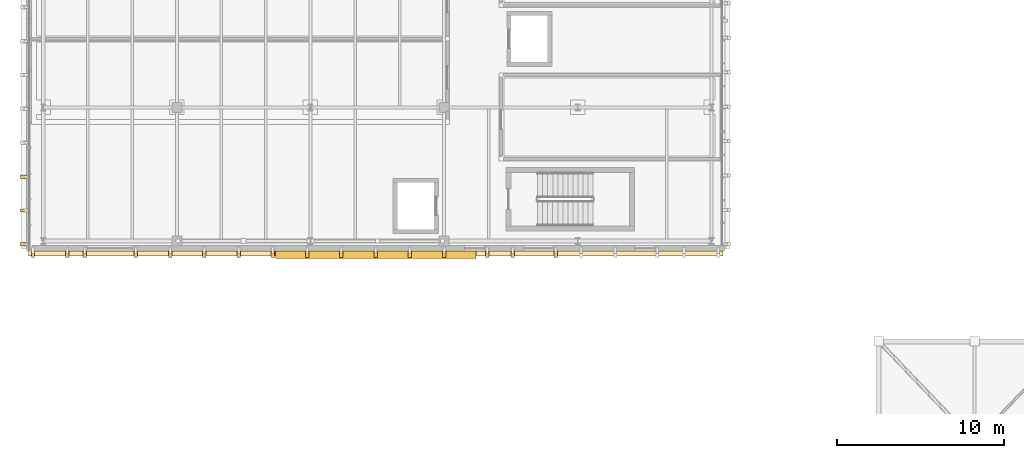
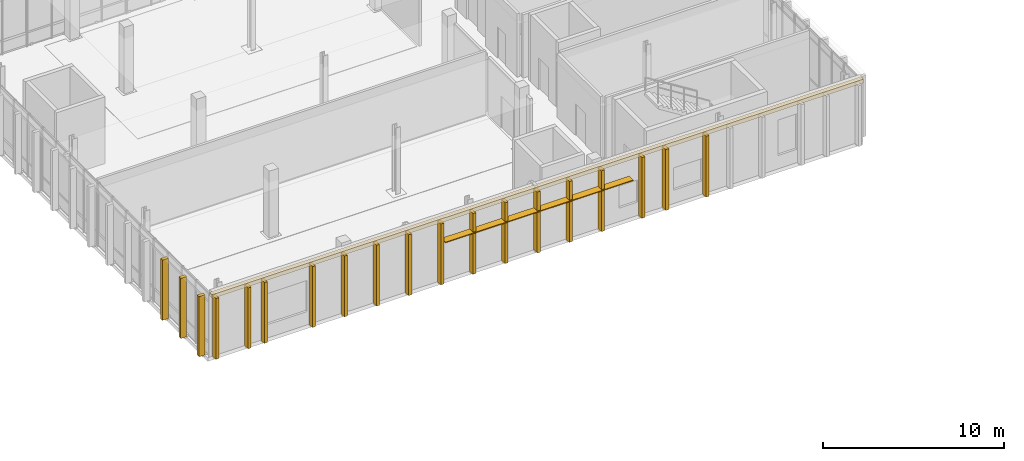
# One storey, part 51 of 62: 20 coverings, 1 shading device.
"""IFC4 building model written with IfcOpenShell, lengths in metres."""

from ifc_helpers import new_model, si_unit, direction, frame, origin, origin_2d, place, context, subcontext, project, spatial, rectangle, extrude, material, layer, layer_set, type_object, element, save


model = new_model("IFC4")

# Units and contexts
model_context = context("Model", 3, precision=1e-05, world=origin(), true_north=direction((0.0, 1.0)))
body_context = subcontext(model_context, "Body", "Model", "MODEL_VIEW")
ifc_project = project(units=[si_unit("LENGTHUNIT", "METRE"), si_unit("AREAUNIT", "SQUARE_METRE"), si_unit("VOLUMEUNIT", "CUBIC_METRE"), si_unit("PLANEANGLEUNIT", "RADIAN"), si_unit("MASSUNIT", "GRAM", prefix="KILO")], contexts=[model_context])

# Site, building, storey
site_placement = place(None, origin())
site = spatial("IfcSite", under=ifc_project, at=site_placement, CompositionType="ELEMENT")
building_placement = place(site_placement, origin())
building = spatial("IfcBuilding", under=site, at=building_placement, Name="Cymarion Research Institute", CompositionType="ELEMENT")
storey_placement = place(building_placement, frame((0.0, 0.0, 18.300048828125)))
storey = spatial("IfcBuildingStorey", under=building, at=storey_placement, Name="L04", CompositionType="ELEMENT", Elevation=18.300048828125)

# Shading device
ifc_material_1 = material(Name="Anodised aluminium solar louvre jalousie", Category="aluminium")
ifc_layer_1 = layer(ifc_material_1, 0.06005859375)
ifc_layer_set_1 = layer_set([ifc_layer_1], Name="Anodised aluminium solar louvre jalousie")
shading_device_type = type_object("IfcShadingDeviceType", Name="ANODISED ALUMINIUM HORIZONTAL LOUVRE JALOUSIE SHD3 450MM", PredefinedType="JALOUSIE", material=ifc_layer_set_1)
shading_device_placement = place(storey_placement, frame((26.5, 46.673095703125, 2.7900390625), z_axis=(0.0, 0.0, 1.0), x_axis=(0.0, -1.0, 0.0)))
element("IfcShadingDevice", 1, at=shading_device_placement, inside=storey, type_object=shading_device_type, Name="L04 V4 south aluminium sunshade SHD3 #9", PredefinedType="JALOUSIE", context=body_context, shape_type="SweptSolid", body=[
    extrude(rectangle(XDim=0.449951171875, YDim=12.0, at=origin_2d()), origin(), (0.0, 0.0, 1.0), 0.06005859375),
])

# Coverings
ifc_material_2 = material(Name="Precast concrete C45/55 architectural white", Category="concrete")
ifc_layer_2 = layer(ifc_material_2, 0.260009765625)
ifc_layer_set_2 = layer_set([ifc_layer_2], Name="Precast concrete C45/55 architectural white")
covering_type_1 = type_object("IfcCoveringType", Name="SCULPTURAL WHITE PRECAST CONCRETE SPANDREL BROW BAND RIB2 280MM", PredefinedType="CLADDING", material=ifc_layer_set_2)
covering_placement = place(storey_placement, frame((26.5, 46.758056640625, 4.1201171875), z_axis=(0.0, 0.0, 1.0), x_axis=(0.0, -1.0, 0.0)))
element("IfcCovering", 2, at=covering_placement, inside=storey, type_object=covering_type_1, Name="L04 V4 precast spandrel brow band RIB2 #819", PredefinedType="CLADDING", context=body_context, shape_type="SweptSolid", body=[
    extrude(rectangle(XDim=0.280029296875, YDim=41.56005859375, at=origin_2d()), origin(), (0.0, 0.0, 1.0), 0.260009765625),
])
ifc_layer_3 = layer(ifc_material_2, 0.199951171875)
ifc_layer_set_3 = layer_set([ifc_layer_3], Name="Precast concrete C45/55 architectural white")
covering_type_2 = type_object("IfcCoveringType", Name="SCULPTURAL WHITE PRECAST CONCRETE VERTICAL RIB RIB1 380X200", PredefinedType="CLADDING", material=ifc_layer_set_3)
for number, where, z_axis, x_axis, name in (
    (3, (6.0, 46.7080078125, 0.010009765625), (0.0, 0.0, 1.0), (0.0, -1.0, 0.0), "L04 V4 sculptural precast vertical rib RIB1 #820"),
    (4, (8.050048828125, 46.7080078125, 0.010009765625), (0.0, 0.0, 1.0), (0.0, -1.0, 0.0), "L04 V4 sculptural precast vertical rib RIB1 #821"),
    (5, (9.090087890625, 46.7080078125, 0.010009765625), (0.0, 0.0, 1.0), (0.0, -1.0, 0.0), "L04 V4 sculptural precast vertical rib RIB1 #822"),
    (6, (12.14990234375, 46.7080078125, 0.010009765625), (0.0, 0.0, 1.0), (0.0, -1.0, 0.0), "L04 V4 sculptural precast vertical rib RIB1 #823"),
    (7, (14.199951171875, 46.7080078125, 0.010009765625), (0.0, 0.0, 1.0), (0.0, -1.0, 0.0), "L04 V4 sculptural precast vertical rib RIB1 #824"),
    (8, (16.25, 46.7080078125, 0.010009765625), (0.0, 0.0, 1.0), (0.0, -1.0, 0.0), "L04 V4 sculptural precast vertical rib RIB1 #825"),
    (9, (18.300048828125, 46.7080078125, 0.010009765625), (0.0, 0.0, 1.0), (0.0, -1.0, 0.0), "L04 V4 sculptural precast vertical rib RIB1 #826"),
    (10, (20.35009765625, 46.7080078125, 0.010009765625), (0.0, 0.0, 1.0), (0.0, -1.0, 0.0), "L04 V4 sculptural precast vertical rib RIB1 #827"),
    (11, (22.39990234375, 46.7080078125, 0.010009765625), (0.0, 0.0, 1.0), (0.0, -1.0, 0.0), "L04 V4 sculptural precast vertical rib RIB1 #828"),
    (12, (24.449951171875, 46.7080078125, 0.010009765625), (0.0, 0.0, 1.0), (0.0, -1.0, 0.0), "L04 V4 sculptural precast vertical rib RIB1 #829"),
    (13, (26.5, 46.7080078125, 0.010009765625), (0.0, 0.0, 1.0), (0.0, -1.0, 0.0), "L04 V4 sculptural precast vertical rib RIB1 #830"),
    (14, (28.550048828125, 46.7080078125, 0.010009765625), (0.0, 0.0, 1.0), (0.0, -1.0, 0.0), "L04 V4 sculptural precast vertical rib RIB1 #831"),
    (15, (30.60009765625, 46.7080078125, 0.010009765625), (0.0, 0.0, 1.0), (0.0, -1.0, 0.0), "L04 V4 sculptural precast vertical rib RIB1 #832"),
    (16, (33.179931640625, 46.7080078125, 0.010009765625), (0.0, 0.0, 1.0), (0.0, -1.0, 0.0), "L04 V4 sculptural precast vertical rib RIB1 #833"),
    (17, (34.699951171875, 46.7080078125, 0.010009765625), (0.0, 0.0, 1.0), (0.0, -1.0, 0.0), "L04 V4 sculptural precast vertical rib RIB1 #834"),
    (18, (37.280029296875, 46.7080078125, 0.010009765625), (0.0, 0.0, 1.0), (0.0, -1.0, 0.0), "L04 V4 sculptural precast vertical rib RIB1 #835"),
):
    element("IfcCovering", number, at=place(storey_placement, frame(where, z_axis=z_axis, x_axis=x_axis)), inside=storey, type_object=covering_type_2, Name=name, PredefinedType="CLADDING", context=body_context, shape_type="SweptSolid", body=[
        extrude(rectangle(XDim=0.3798828125, YDim=0.199951171875, at=origin_2d()), origin(), (0.0, 0.0, 1.0), 4.10498046875),
    ])
for number, where, z_axis, x_axis, name in (
    (19, (5.407958984375, 51.353271484375, 0.010009765625), (0.0, 0.0, 1.0), (-1.0, 0.0, 0.0), "L04 V4 sculptural precast vertical rib RIB1 #894"),
    (20, (5.407958984375, 49.32666015625, 0.010009765625), (0.0, 0.0, 1.0), (-1.0, 0.0, 0.0), "L04 V4 sculptural precast vertical rib RIB1 #895"),
    (21, (5.407958984375, 47.300048828125, 0.010009765625), (0.0, 0.0, 1.0), (-1.0, 0.0, 0.0), "L04 V4 sculptural precast vertical rib RIB1 #896"),
):
    element("IfcCovering", number, at=place(storey_placement, frame(where, z_axis=z_axis, x_axis=x_axis)), inside=storey, type_object=covering_type_2, Name=name, PredefinedType="CLADDING", context=body_context, shape_type="SweptSolid", body=[
        extrude(rectangle(XDim=0.3798828125, YDim=0.199951171875, at=origin_2d()), origin(), (0.0, 0.0, 1.0), 4.06494140625),
    ])

save(model, "model.ifc")
